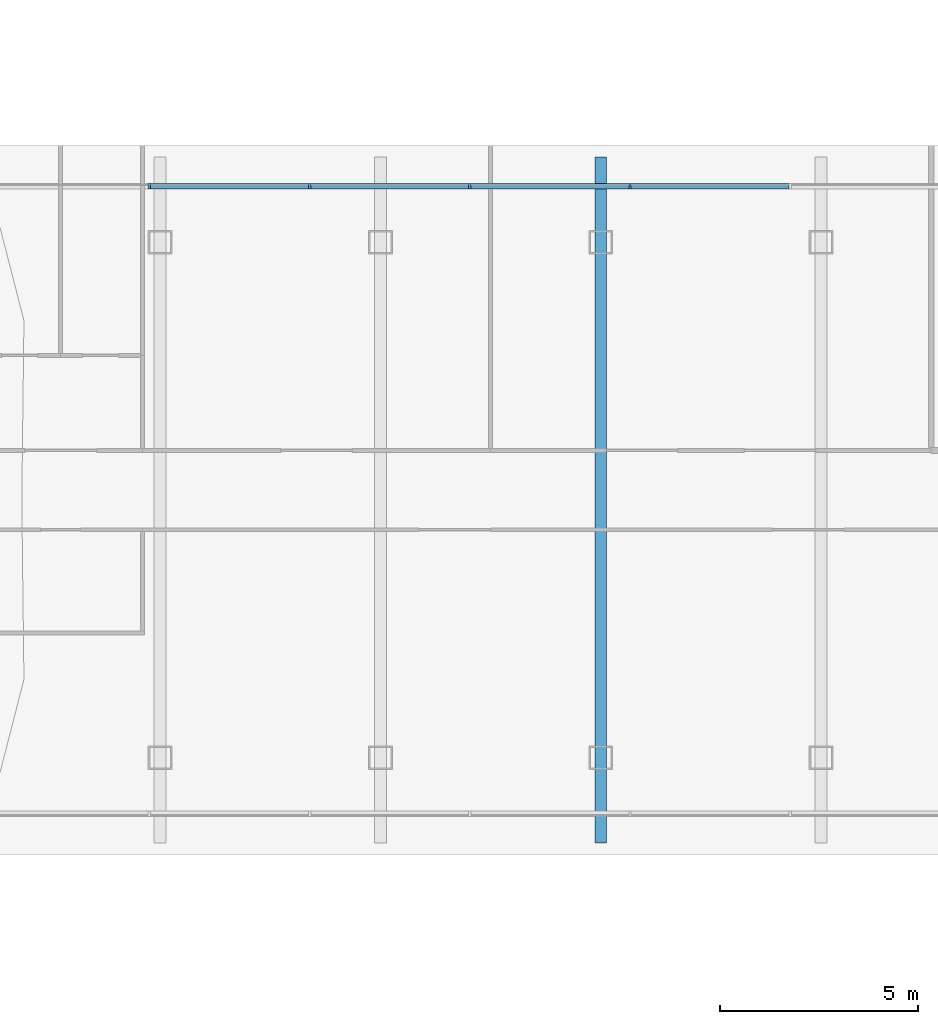
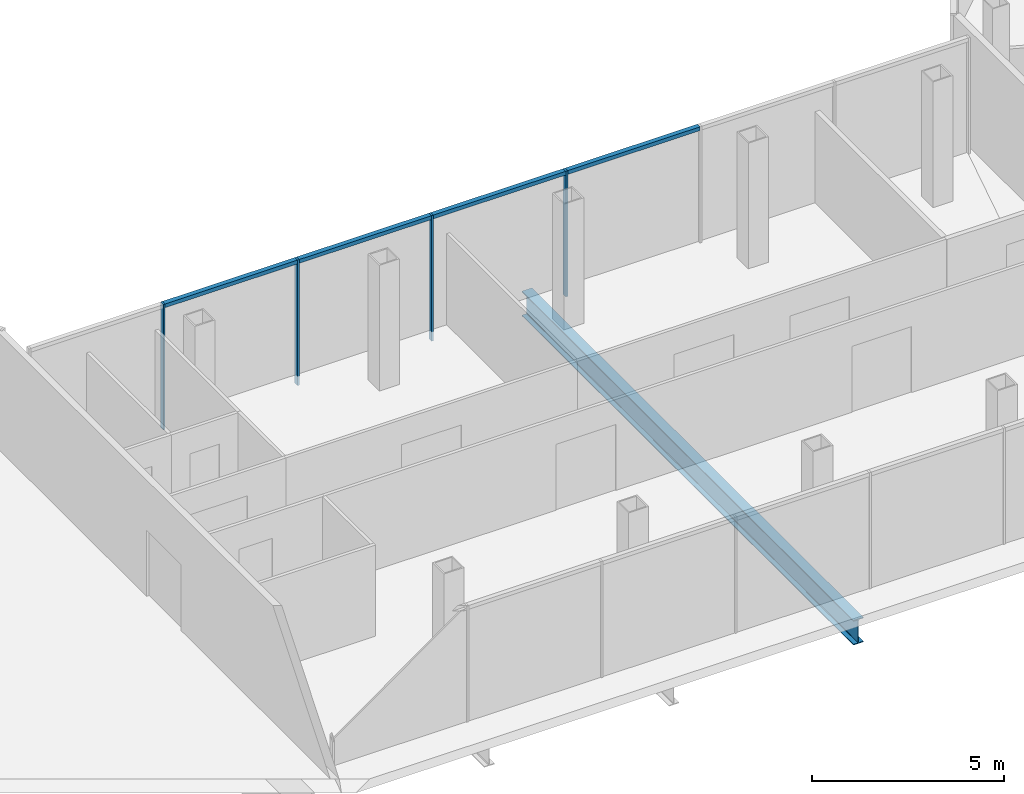
# One storey, part 8 of 25: 8 members, 1 beam, 1 element without a shape of its own.
"""IFC4 building model written with IfcOpenShell, lengths in metres."""

from ifc_helpers import new_model, si_unit, direction, frame, origin, origin_2d, place, context, subcontext, project, spatial, rectangle, i_section, extrude, material, material_profile, profile_set, type_object, element, aggregate, save


model = new_model("IFC4")

# Units and contexts
model_context = context("Model", 3, precision=1e-05, world=origin(), true_north=direction((0.0, 1.0)))
body_context = subcontext(model_context, "Body", "Model", "MODEL_VIEW")
ifc_project = project(units=[si_unit("LENGTHUNIT", "METRE"), si_unit("AREAUNIT", "SQUARE_METRE"), si_unit("VOLUMEUNIT", "CUBIC_METRE"), si_unit("PLANEANGLEUNIT", "RADIAN"), si_unit("MASSUNIT", "GRAM", prefix="KILO")], contexts=[model_context])

# Site, building, storey
site_placement = place(None, origin())
site = spatial("IfcSite", under=ifc_project, at=site_placement, CompositionType="ELEMENT")
building_placement = place(site_placement, origin())
building = spatial("IfcBuilding", under=site, at=building_placement, Name="Ogive Gate Towers", CompositionType="ELEMENT")
storey_placement = place(building_placement, frame((0.0, 0.0, 140.800048828125)))
storey = spatial("IfcBuildingStorey", under=building, at=storey_placement, Name="L33", CompositionType="ELEMENT", Elevation=140.800048828125)

# Beam
ifc_material_1 = material(Name="Steel SM460", Category="steel")
ifc_material_profile_1 = material_profile(ifc_material_1, i_section(OverallWidth=0.300048828125, OverallDepth=0.7900390625, WebThickness=0.014892578125, FlangeThickness=0.028076171875, FilletRadius=0.030029296875, at=origin_2d()), Name="HE 800 A")
ifc_profile_set_1 = profile_set([ifc_material_profile_1], Name="Steel SM460")
beam_type = type_object("IfcBeamType", Name="Block floor beam HE 800 A", PredefinedType="BEAM", material=ifc_profile_set_1)
beam_placement = place(storey_placement, frame((1.282470703125, -8.647216796875, -0.695068359375), z_axis=(0.0, 1.0, 0.0), x_axis=(-1.0, 0.0, 0.0)))
element("IfcBeam", 1, at=beam_placement, inside=storey, type_object=beam_type, Name="BR/L33/SBM003", PredefinedType="BEAM", context=body_context, shape_type="SweptSolid", body=[
    extrude(i_section(OverallWidth=0.300048828125, OverallDepth=0.7900390625, WebThickness=0.014892578125, FlangeThickness=0.028076171875, FilletRadius=0.030029296875, at=origin_2d()), origin(), (0.0, 0.0, 1.0), 17.29443359375),
])

# Curtain wall, members
ifc_material_2 = material(Name="Pale metal aluminium", Category="aluminium")
curtain_wall_type = type_object("IfcCurtainWallType", Name="Gate block facade", PredefinedType="NOTDEFINED", material=ifc_material_2)
curtain_wall_placement = place(storey_placement, origin())
curtain_wall = element("IfcCurtainWall", 2, at=curtain_wall_placement, inside=storey, type_object=curtain_wall_type, Name="CW3 BR ECW02", PredefinedType="NOTDEFINED")
ifc_material_profile_2 = material_profile(ifc_material_2, rectangle(XDim=0.139892578125, YDim=0.06005859375, at=origin_2d()), Name="60 x 140 aluminium box")
ifc_profile_set_2 = profile_set([ifc_material_profile_2], Name="Pale metal aluminium")
member_type_1 = type_object("IfcMemberType", Name="Gate block facade mullion 60 x 140", PredefinedType="MULLION", material=ifc_profile_set_2)
member_1_placement = place(storey_placement, frame((2.0205078125, 7.9169921875, -0.300048828125), z_axis=(0.0, 0.0, 1.0), x_axis=(0.0, 1.0, 0.0)))
member_1 = element("IfcMember", 3, at=member_1_placement, type_object=member_type_1, Name="CW3 mullion", PredefinedType="MULLION", context=body_context, shape_type="SweptSolid", body=[
    extrude(rectangle(XDim=0.139892578125, YDim=0.06005859375, at=origin_2d()), origin(), (0.0, 0.0, 1.0), 4.0),
])
member_2_placement = place(storey_placement, frame((-2.0205078125, 7.9169921875, -0.300048828125), z_axis=(0.0, 0.0, 1.0), x_axis=(0.0, 1.0, 0.0)))
member_2 = element("IfcMember", 4, at=member_2_placement, type_object=member_type_1, Name="CW3 mullion", PredefinedType="MULLION", context=body_context, shape_type="SweptSolid", body=[
    extrude(rectangle(XDim=0.139892578125, YDim=0.06005859375, at=origin_2d()), origin(), (0.0, 0.0, 1.0), 4.0),
])
member_3_placement = place(storey_placement, frame((-6.061279296875, 7.9169921875, -0.300048828125), z_axis=(0.0, 0.0, 1.0), x_axis=(0.0, 1.0, 0.0)))
member_3 = element("IfcMember", 5, at=member_3_placement, type_object=member_type_1, Name="CW3 mullion", PredefinedType="MULLION", context=body_context, shape_type="SweptSolid", body=[
    extrude(rectangle(XDim=0.139892578125, YDim=0.06005859375, at=origin_2d()), origin(), (0.0, 0.0, 1.0), 4.0),
])
member_4_placement = place(storey_placement, frame((-10.102294921875, 7.9169921875, -0.300048828125), z_axis=(0.0, 0.0, 1.0), x_axis=(0.0, 1.0, 0.0)))
member_4 = element("IfcMember", 6, at=member_4_placement, type_object=member_type_1, Name="CW3 mullion", PredefinedType="MULLION", context=body_context, shape_type="SweptSolid", body=[
    extrude(rectangle(XDim=0.139892578125, YDim=0.06005859375, at=origin_2d()), origin(), (0.0, 0.0, 1.0), 4.0),
])
ifc_material_profile_3 = material_profile(ifc_material_2, rectangle(XDim=0.139892578125, YDim=0.1201171875, at=origin_2d()), Name="120 x 140 aluminium box")
ifc_profile_set_3 = profile_set([ifc_material_profile_3], Name="Pale metal aluminium")
member_type_2 = type_object("IfcMemberType", Name="Gate block facade transom 120 x 140", PredefinedType="USERDEFINED", material=ifc_profile_set_3)
member_5_placement = place(storey_placement, frame((6.031494140625, 7.9169921875, 3.639892578125), z_axis=(-1.0, 0.0, 0.0), x_axis=(0.0, -1.0, 0.0)))
member_5 = element("IfcMember", 7, at=member_5_placement, type_object=member_type_2, Name="CW3 transom", ObjectType="TRANSOM", PredefinedType="USERDEFINED", context=body_context, shape_type="SweptSolid", body=[
    extrude(rectangle(XDim=0.139892578125, YDim=0.1201171875, at=origin_2d()), origin(), (0.0, 0.0, 1.0), 3.98095703125),
])
member_6_placement = place(storey_placement, frame((1.990478515625, 7.9169921875, 3.639892578125), z_axis=(-1.0, 0.0, 0.0), x_axis=(0.0, -1.0, 0.0)))
member_6 = element("IfcMember", 8, at=member_6_placement, type_object=member_type_2, Name="CW3 transom", ObjectType="TRANSOM", PredefinedType="USERDEFINED", context=body_context, shape_type="SweptSolid", body=[
    extrude(rectangle(XDim=0.139892578125, YDim=0.1201171875, at=origin_2d()), origin(), (0.0, 0.0, 1.0), 3.98095703125),
])
member_7_placement = place(storey_placement, frame((-2.050537109375, 7.9169921875, 3.639892578125), z_axis=(-1.0, 0.0, 0.0), x_axis=(0.0, -1.0, 0.0)))
member_7 = element("IfcMember", 9, at=member_7_placement, type_object=member_type_2, Name="CW3 transom", ObjectType="TRANSOM", PredefinedType="USERDEFINED", context=body_context, shape_type="SweptSolid", body=[
    extrude(rectangle(XDim=0.139892578125, YDim=0.1201171875, at=origin_2d()), origin(), (0.0, 0.0, 1.0), 3.98095703125),
])
member_8_placement = place(storey_placement, frame((-6.09130859375, 7.9169921875, 3.639892578125), z_axis=(-1.0, 0.0, 0.0), x_axis=(0.0, -1.0, 0.0)))
member_8 = element("IfcMember", 10, at=member_8_placement, type_object=member_type_2, Name="CW3 transom", ObjectType="TRANSOM", PredefinedType="USERDEFINED", context=body_context, shape_type="SweptSolid", body=[
    extrude(rectangle(XDim=0.139892578125, YDim=0.1201171875, at=origin_2d()), origin(), (0.0, 0.0, 1.0), 3.981201171875),
])
aggregate(curtain_wall, [member_1, member_5, member_2, member_6, member_3, member_7, member_4, member_8])

save(model, "model.ifc")
